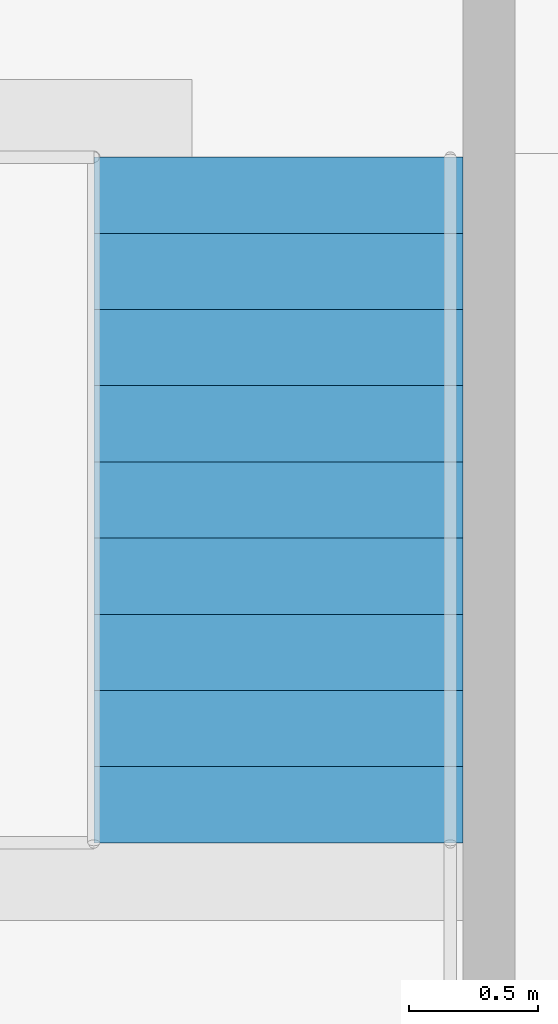
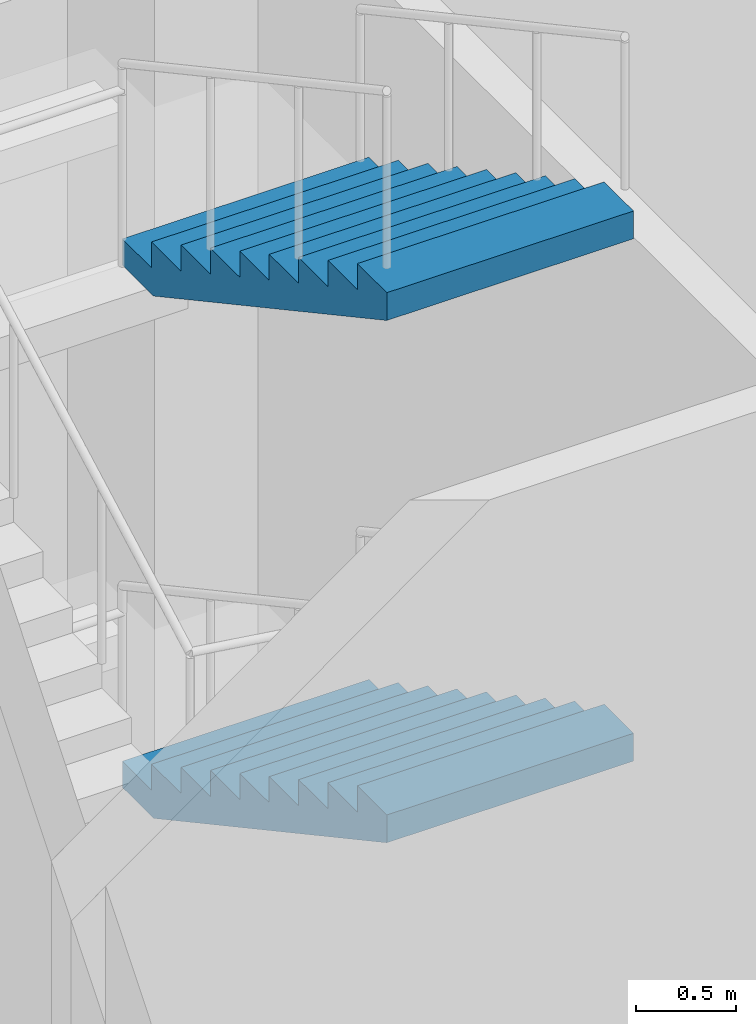
# One storey, part 23 of 31: 2 stair flights, 1 element without a shape of its own.
"""IFC4 building model written with IfcOpenShell, lengths in metres."""

from ifc_helpers import new_model, si_unit, direction, frame, origin, place, context, subcontext, project, spatial, polyline, outline, extrude, material, type_object, element, aggregate, save


model = new_model("IFC4")

# Units and contexts
model_context = context("Model", 3, precision=1e-05, world=origin(), true_north=direction((0.0, 1.0)))
body_context = subcontext(model_context, "Body", "Model", "MODEL_VIEW")
ifc_project = project(units=[si_unit("LENGTHUNIT", "METRE"), si_unit("AREAUNIT", "SQUARE_METRE"), si_unit("VOLUMEUNIT", "CUBIC_METRE"), si_unit("PLANEANGLEUNIT", "RADIAN"), si_unit("MASSUNIT", "GRAM", prefix="KILO")], contexts=[model_context])

# Site, building, storey
site_placement = place(None, origin())
site = spatial("IfcSite", under=ifc_project, at=site_placement, CompositionType="ELEMENT")
building_placement = place(site_placement, origin())
building = spatial("IfcBuilding", under=site, at=building_placement, Name="Marenta Gate Hotel Tower", CompositionType="ELEMENT")
storey_placement = place(building_placement, origin())
storey = spatial("IfcBuildingStorey", under=building, at=storey_placement, Name="L00", CompositionType="ELEMENT", Elevation=0.0)

# Stair, stair flights
ifc_material_1 = material(Name="Concrete C40", Category="concrete")
stair_type = type_object("IfcStairType", Name="Podium exit stair 1430 wide", PredefinedType="HALF_TURN_STAIR", material=ifc_material_1)
stair_placement = place(storey_placement, origin())
stair = element("IfcStair", 1, at=stair_placement, inside=storey, type_object=stair_type, Name="Podium exit stair 4", PredefinedType="HALF_TURN_STAIR")
ifc_material_2 = material(Name="Concrete C40", Category="concrete")
stair_flight_type = type_object("IfcStairFlightType", Name="Podium stair flight 1430 riser 160.0 going 295", PredefinedType="STRAIGHT", material=ifc_material_2)
stair_flight_1_placement = place(storey_placement, frame((20.18505859375, 40.18505859375, 3.199951171875), z_axis=(0.0, 0.0, 1.0), x_axis=(0.0, -1.0, 0.0)))
stair_flight_1 = element("IfcStairFlight", 2, at=stair_flight_1_placement, type_object=stair_flight_type, Name="PX4 flight 3", NumberOfRisers=10, NumberOfTreads=9, PredefinedType="STRAIGHT", RiserHeight=0.16, TreadLength=0.295, context=body_context, shape_type="SweptSolid", body=[
    extrude(outline(polyline([(0.0, 0.0), (0.0, 0.159912109375), (0.294921875, 0.159912109375), (0.294921875, 0.320068359375), (0.590087890625, 0.320068359375), (0.590087890625, 0.47998046875), (0.885009765625, 0.47998046875), (0.885009765625, 0.639892578125), (1.179931640625, 0.639892578125), (1.179931640625, 0.800048828125), (1.47509765625, 0.800048828125), (1.47509765625, 0.9599609375), (1.77001953125, 0.9599609375), (1.77001953125, 1.1201171875), (2.06494140625, 1.1201171875), (2.06494140625, 1.280029296875), (2.360107421875, 1.280029296875), (2.360107421875, 1.43994140625), (2.655029296875, 1.43994140625), (2.655029296875, 1.60009765625), (2.655029296875, 1.26953125), (0.314453125, 0.0), (0.0, 0.0)])), frame((0.0, 0.71484375, 0.0), z_axis=(0.0, -1.0, 0.0), x_axis=(1.0, 0.0, 0.0)), (0.0, 0.0, 1.0), 1.429931640625),
])
stair_flight_2_placement = place(storey_placement, frame((20.18505859375, 40.18505859375, 6.39990234375), z_axis=(0.0, 0.0, 1.0), x_axis=(0.0, -1.0, 0.0)))
stair_flight_2 = element("IfcStairFlight", 3, at=stair_flight_2_placement, type_object=stair_flight_type, Name="PX4 flight 5", NumberOfRisers=10, NumberOfTreads=9, PredefinedType="STRAIGHT", RiserHeight=0.16, TreadLength=0.295, context=body_context, shape_type="SweptSolid", body=[
    extrude(outline(polyline([(0.0, 0.0), (0.0, 0.159912109375), (0.294921875, 0.159912109375), (0.294921875, 0.320068359375), (0.590087890625, 0.320068359375), (0.590087890625, 0.47998046875), (0.885009765625, 0.47998046875), (0.885009765625, 0.639892578125), (1.179931640625, 0.639892578125), (1.179931640625, 0.800048828125), (1.47509765625, 0.800048828125), (1.47509765625, 0.9599609375), (1.77001953125, 0.9599609375), (1.77001953125, 1.1201171875), (2.06494140625, 1.1201171875), (2.06494140625, 1.280029296875), (2.360107421875, 1.280029296875), (2.360107421875, 1.43994140625), (2.655029296875, 1.43994140625), (2.655029296875, 1.60009765625), (2.655029296875, 1.26953125), (0.314453125, 0.0), (0.0, 0.0)])), frame((0.0, 0.71484375, 0.0), z_axis=(0.0, -1.0, 0.0), x_axis=(1.0, 0.0, 0.0)), (0.0, 0.0, 1.0), 1.429931640625),
])
aggregate(stair, [stair_flight_1, stair_flight_2])

save(model, "model.ifc")
